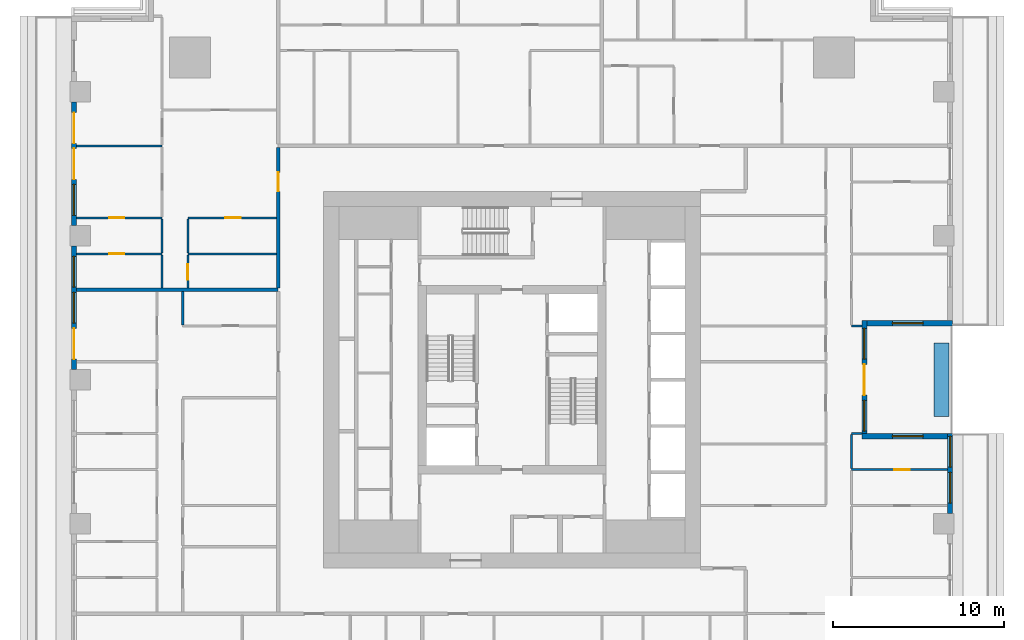
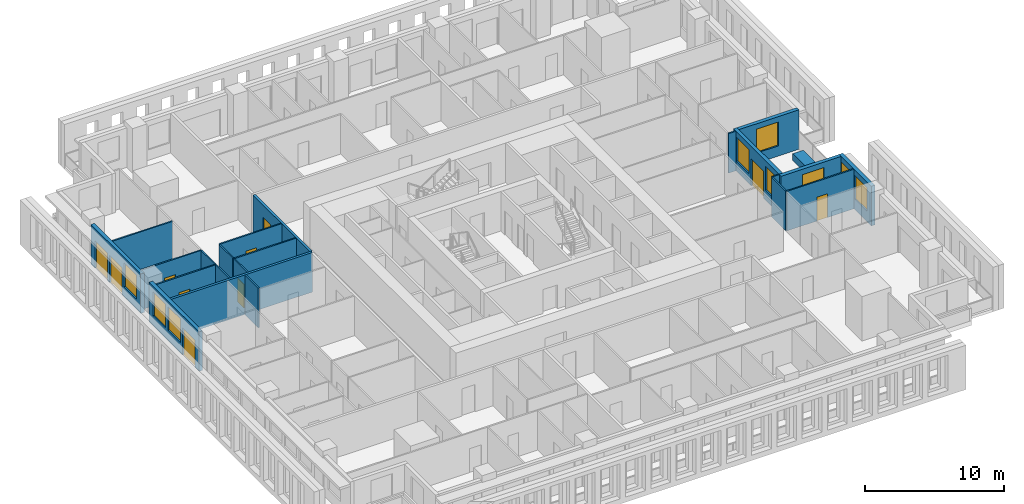
# One storey, part 7 of 17: 23 walls, 10 doors, 9 windows, 19 openings.
"""IFC4 building model written with IfcOpenShell, lengths in metres."""

from ifc_helpers import new_model, si_unit, direction, frame, frame_2d, origin, place, context, subcontext, project, spatial, rectangle, extrude, material, layer, layer_set, type_object, element, fill, save


model = new_model("IFC4")

# Units and contexts
model_context = context("Model", 3, precision=1e-05, world=origin(), true_north=direction((0.0, 1.0)))
body_context = subcontext(model_context, "Body", "Model", "MODEL_VIEW")
ifc_project = project(units=[si_unit("LENGTHUNIT", "METRE"), si_unit("AREAUNIT", "SQUARE_METRE"), si_unit("VOLUMEUNIT", "CUBIC_METRE"), si_unit("PLANEANGLEUNIT", "RADIAN"), si_unit("MASSUNIT", "GRAM", prefix="KILO")], contexts=[model_context])

# Site, building, storey
site_placement = place(None, origin())
site = spatial("IfcSite", under=ifc_project, at=site_placement, CompositionType="ELEMENT")
building_placement = place(site_placement, origin())
building = spatial("IfcBuilding", under=site, at=building_placement, Name="Khepri Terraces", CompositionType="ELEMENT")
storey_placement = place(building_placement, frame((0.0, 0.0, 188.39990234375)))
storey = spatial("IfcBuildingStorey", under=building, at=storey_placement, Name="L44", CompositionType="ELEMENT", Elevation=188.39990234375)

# Wall
ifc_material_1 = material(Name="Fire-rated gypsum plasterboard partition, mineral wool")
ifc_layer_1 = layer(ifc_material_1, 0.199951171875, Name="Fire-rated gypsum plasterboard partition, mineral wool")
ifc_layer_set_1 = layer_set([ifc_layer_1], Name="Fire-rated gypsum plasterboard partition, mineral wool")
wall_type_1 = type_object("IfcWallType", Name="WL-CORR-200", PredefinedType="PARTITIONING", material=ifc_layer_set_1)
wall_1_placement = place(storey_placement, frame((-25.419921875, 5.25, 0.0), z_axis=(0.0, 0.0, 1.0), x_axis=(1.0, 0.0, 0.0)))
element("IfcWall", 1, at=wall_1_placement, inside=storey, type_object=wall_type_1, Name="Partition P-066 L44", PredefinedType="PARTITIONING", context=body_context, shape_type="SweptSolid", body=[
    extrude(rectangle(XDim=11.77001953125, YDim=0.199951171875, at=frame_2d((5.885009765625, 0.0))), origin(), (0.0, 0.0, 1.0), 3.47998046875),
])

# Wall, opening, door
wall_2_placement = place(storey_placement, frame((-13.64990234375, 5.35009765625, 0.0), z_axis=(0.0, 0.0, 1.0), x_axis=(0.0, 1.0, 0.0)))
wall_2 = element("IfcWall", 2, at=wall_2_placement, inside=storey, type_object=wall_type_1, Name="Partition P-069 L44", PredefinedType="PARTITIONING", context=body_context, shape_type="SweptSolid", body=[
    extrude(rectangle(XDim=8.199951171875, YDim=0.199951171875, at=frame_2d((4.10009765625, 0.0))), origin(), (0.0, 0.0, 1.0), 3.47998046875),
])
opening_1_placement = place(wall_2_placement, frame((5.64990234375, 0.0, 0.0)))
opening_1 = element("IfcOpeningElement", 3, at=opening_1_placement, cuts=wall_2, Name="Opening D1", PredefinedType="OPENING", context=body_context, shape_type="SweptSolid", body=[
    extrude(rectangle(XDim=1.10009765625, YDim=2.39990234375, at=frame_2d((0.550048828125, 1.199951171875))), frame((0.0, 0.10986328125, 0.0), z_axis=(0.0, -1.0, 0.0), x_axis=(1.0, 0.0, 0.0)), (0.0, 0.0, 1.0), 0.219970703125),
])
ifc_material_2 = material(Name="Solid-core timber door leaf, flat entrance door", Category="wood")
door_type_1 = type_object("IfcDoorType", Name="DR-ENT-1100", OperationType="NOTDEFINED", PredefinedType="DOOR", material=ifc_material_2)
door_1_placement = place(opening_1_placement, origin())
door_1 = element("IfcDoor", 4, at=door_1_placement, inside=storey, type_object=door_type_1, Name="Flat D1 entrance door", OperationType="SINGLE_SWING_RIGHT", OverallHeight=2.39990234375, OverallWidth=1.10009765625, PredefinedType="DOOR", context=body_context, shape_type="SweptSolid", body=[
    extrude(rectangle(XDim=1.10009765625, YDim=2.39990234375, at=frame_2d((0.550048828125, 1.199951171875))), frame((0.0, 0.02490234375, 0.0), z_axis=(0.0, -1.0, 0.0), x_axis=(1.0, 0.0, 0.0)), (0.0, 0.0, 1.0), 0.050048828125),
])
fill(opening_1, door_1)

# Wall, openings, windows
ifc_material_3 = material(Name="Precast concrete C50/60 warm stone", Category="masonry")
ifc_layer_2 = layer(ifc_material_3, 0.300048828125, Name="Precast concrete C50/60 warm stone", Category="masonry")
ifc_layer_set_2 = layer_set([ifc_layer_2], Name="Precast concrete C50/60 warm stone")
wall_type_2 = type_object("IfcWallType", Name="WL-EXT-PRECAST-300", PredefinedType="STANDARD", material=ifc_layer_set_2)
wall_3_placement = place(storey_placement, frame((25.570068359375, -7.800048828125, 0.0), z_axis=(0.0, 0.0, 1.0), x_axis=(0.0, 1.0, 0.0)))
wall_3 = element("IfcWall", 5, at=wall_3_placement, inside=storey, type_object=wall_type_2, Name="External wall L44 E", PredefinedType="STANDARD", context=body_context, shape_type="SweptSolid", body=[
    extrude(rectangle(XDim=4.650146484375, YDim=0.300048828125, at=frame_2d((2.3251953125, 0.0))), origin(), (0.0, 0.0, 1.0), 3.47998046875),
])
opening_2_placement = place(wall_3_placement, frame((0.60009765625, 0.0, 0.89990234375)))
opening_2 = element("IfcOpeningElement", 6, at=opening_2_placement, cuts=wall_3, Name="Opening W1", PredefinedType="OPENING", context=body_context, shape_type="SweptSolid", body=[
    extrude(rectangle(XDim=1.800048828125, YDim=2.10009765625, at=frame_2d((0.89990234375, 1.050048828125))), frame((0.0, 0.16015625, 0.0), z_axis=(0.0, -1.0, 0.0), x_axis=(1.0, 0.0, 0.0)), (0.0, 0.0, 1.0), 0.320068359375),
])
opening_3_placement = place(wall_3_placement, frame((2.699951171875, 0.0, 0.89990234375)))
opening_3 = element("IfcOpeningElement", 7, at=opening_3_placement, cuts=wall_3, Name="Opening W1", PredefinedType="OPENING", context=body_context, shape_type="SweptSolid", body=[
    extrude(rectangle(XDim=1.800048828125, YDim=2.10009765625, at=frame_2d((0.89990234375, 1.050048828125))), frame((0.0, 0.16015625, 0.0), z_axis=(0.0, -1.0, 0.0), x_axis=(1.0, 0.0, 0.0)), (0.0, 0.0, 1.0), 0.320068359375),
])
ifc_material_4 = material(Name="Clear glass", Category="glass")
window_type = type_object("IfcWindowType", Name="WIN-RES-1800x2100", PartitioningType="SINGLE_PANEL", PredefinedType="WINDOW", material=ifc_material_4)
window_1_placement = place(opening_2_placement, origin())
window_1 = element("IfcWindow", 8, at=window_1_placement, inside=storey, type_object=window_type, Name="Window L44 E", OverallHeight=2.10009765625, OverallWidth=1.800048828125, PartitioningType="SINGLE_PANEL", PredefinedType="WINDOW", context=body_context, shape_type="SweptSolid", body=[
    extrude(rectangle(XDim=1.800048828125, YDim=2.10009765625, at=frame_2d((0.89990234375, 1.050048828125))), frame((0.0, 0.030029296875, 0.0), z_axis=(0.0, -1.0, 0.0), x_axis=(1.0, 0.0, 0.0)), (0.0, 0.0, 1.0), 0.06005859375),
])
fill(opening_2, window_1)
window_2_placement = place(opening_3_placement, origin())
window_2 = element("IfcWindow", 9, at=window_2_placement, inside=storey, type_object=window_type, Name="Window L44 E", OverallHeight=2.10009765625, OverallWidth=1.800048828125, PartitioningType="SINGLE_PANEL", PredefinedType="WINDOW", context=body_context, shape_type="SweptSolid", body=[
    extrude(rectangle(XDim=1.800048828125, YDim=2.10009765625, at=frame_2d((0.89990234375, 1.050048828125))), frame((0.0, 0.030029296875, 0.0), z_axis=(0.0, -1.0, 0.0), x_axis=(1.0, 0.0, 0.0)), (0.0, 0.0, 1.0), 0.06005859375),
])
fill(opening_3, window_2)

# Wall, opening, window
wall_4_placement = place(storey_placement, frame((25.419921875, -3.300048828125, 0.0), z_axis=(0.0, 0.0, 1.0), x_axis=(-1.0, 0.0, 0.0)))
wall_4 = element("IfcWall", 10, at=wall_4_placement, inside=storey, type_object=wall_type_2, Name="External wall L44 N", PredefinedType="STANDARD", context=body_context, shape_type="SweptSolid", body=[
    extrude(rectangle(XDim=5.0, YDim=0.300048828125, at=frame_2d((2.5, 0.0))), origin(), (0.0, 0.0, 1.0), 3.47998046875),
])
opening_4_placement = place(wall_4_placement, frame((1.419921875, 0.0, 0.89990234375)))
opening_4 = element("IfcOpeningElement", 11, at=opening_4_placement, cuts=wall_4, Name="Opening W1", PredefinedType="OPENING", context=body_context, shape_type="SweptSolid", body=[
    extrude(rectangle(XDim=1.800048828125, YDim=2.10009765625, at=frame_2d((0.89990234375, 1.050048828125))), frame((0.0, 0.16015625, 0.0), z_axis=(0.0, -1.0, 0.0), x_axis=(1.0, 0.0, 0.0)), (0.0, 0.0, 1.0), 0.320068359375),
])
window_3_placement = place(opening_4_placement, origin())
window_3 = element("IfcWindow", 12, at=window_3_placement, inside=storey, type_object=window_type, Name="Window L44 N", OverallHeight=2.10009765625, OverallWidth=1.800048828125, PartitioningType="SINGLE_PANEL", PredefinedType="WINDOW", context=body_context, shape_type="SweptSolid", body=[
    extrude(rectangle(XDim=1.800048828125, YDim=2.10009765625, at=frame_2d((0.89990234375, 1.050048828125))), frame((0.0, 0.030029296875, 0.0), z_axis=(0.0, -1.0, 0.0), x_axis=(1.0, 0.0, 0.0)), (0.0, 0.0, 1.0), 0.06005859375),
])
fill(opening_4, window_3)

# Wall, openings, door, windows
wall_5_placement = place(storey_placement, frame((20.570068359375, -3.14990234375, 0.0), z_axis=(0.0, 0.0, 1.0), x_axis=(0.0, 1.0, 0.0)))
wall_5 = element("IfcWall", 13, at=wall_5_placement, inside=storey, type_object=wall_type_2, Name="External wall L44 E", PredefinedType="STANDARD", context=body_context, shape_type="SweptSolid", body=[
    extrude(rectangle(XDim=6.599853515625, YDim=0.300048828125, at=frame_2d((3.2998046875, 0.0))), origin(), (0.0, 0.0, 1.0), 3.47998046875),
])
opening_5_placement = place(wall_5_placement, frame((0.14990234375, 0.0, 0.89990234375)))
opening_5 = element("IfcOpeningElement", 14, at=opening_5_placement, cuts=wall_5, Name="Opening W1", PredefinedType="OPENING", context=body_context, shape_type="SweptSolid", body=[
    extrude(rectangle(XDim=1.800048828125, YDim=2.10009765625, at=frame_2d((0.89990234375, 1.050048828125))), frame((0.0, 0.16015625, 0.0), z_axis=(0.0, -1.0, 0.0), x_axis=(1.0, 0.0, 0.0)), (0.0, 0.0, 1.0), 0.320068359375),
])
opening_6_placement = place(wall_5_placement, frame((2.25, 0.0, 0.0)))
opening_6 = element("IfcOpeningElement", 15, at=opening_6_placement, cuts=wall_5, Name="Opening ED-L44-04", PredefinedType="OPENING", context=body_context, shape_type="SweptSolid", body=[
    extrude(rectangle(XDim=1.800048828125, YDim=2.39990234375, at=frame_2d((0.89990234375, 1.199951171875))), frame((0.0, 0.16015625, 0.0), z_axis=(0.0, -1.0, 0.0), x_axis=(1.0, 0.0, 0.0)), (0.0, 0.0, 1.0), 0.320068359375),
])
opening_7_placement = place(wall_5_placement, frame((4.35009765625, 0.0, 0.89990234375)))
opening_7 = element("IfcOpeningElement", 16, at=opening_7_placement, cuts=wall_5, Name="Opening W1", PredefinedType="OPENING", context=body_context, shape_type="SweptSolid", body=[
    extrude(rectangle(XDim=1.800048828125, YDim=2.10009765625, at=frame_2d((0.89990234375, 1.050048828125))), frame((0.0, 0.16015625, 0.0), z_axis=(0.0, -1.0, 0.0), x_axis=(1.0, 0.0, 0.0)), (0.0, 0.0, 1.0), 0.320068359375),
])
ifc_material_5 = material(Name="Anodised aluminium bronze glazed door", Category="aluminium")
door_type_2 = type_object("IfcDoorType", Name="DR-BAL-SLIDE-1800x2400", OperationType="NOTDEFINED", PredefinedType="DOOR", material=ifc_material_5)
door_2_placement = place(opening_6_placement, origin())
door_2 = element("IfcDoor", 17, at=door_2_placement, inside=storey, type_object=door_type_2, Name="Balcony door L44 E", OperationType="SLIDING_TO_LEFT", OverallHeight=2.39990234375, OverallWidth=1.800048828125, PredefinedType="DOOR", context=body_context, shape_type="SweptSolid", body=[
    extrude(rectangle(XDim=1.800048828125, YDim=2.39990234375, at=frame_2d((0.89990234375, 1.199951171875))), frame((0.0, 0.02490234375, 0.0), z_axis=(0.0, -1.0, 0.0), x_axis=(1.0, 0.0, 0.0)), (0.0, 0.0, 1.0), 0.050048828125),
])
fill(opening_6, door_2)
window_4_placement = place(opening_5_placement, origin())
window_4 = element("IfcWindow", 18, at=window_4_placement, inside=storey, type_object=window_type, Name="Window L44 E", OverallHeight=2.10009765625, OverallWidth=1.800048828125, PartitioningType="SINGLE_PANEL", PredefinedType="WINDOW", context=body_context, shape_type="SweptSolid", body=[
    extrude(rectangle(XDim=1.800048828125, YDim=2.10009765625, at=frame_2d((0.89990234375, 1.050048828125))), frame((0.0, 0.030029296875, 0.0), z_axis=(0.0, -1.0, 0.0), x_axis=(1.0, 0.0, 0.0)), (0.0, 0.0, 1.0), 0.06005859375),
])
fill(opening_5, window_4)
window_5_placement = place(opening_7_placement, origin())
window_5 = element("IfcWindow", 19, at=window_5_placement, inside=storey, type_object=window_type, Name="Window L44 E", OverallHeight=2.10009765625, OverallWidth=1.800048828125, PartitioningType="SINGLE_PANEL", PredefinedType="WINDOW", context=body_context, shape_type="SweptSolid", body=[
    extrude(rectangle(XDim=1.800048828125, YDim=2.10009765625, at=frame_2d((0.89990234375, 1.050048828125))), frame((0.0, 0.030029296875, 0.0), z_axis=(0.0, -1.0, 0.0), x_axis=(1.0, 0.0, 0.0)), (0.0, 0.0, 1.0), 0.06005859375),
])
fill(opening_7, window_5)

# Wall, opening, window
wall_6_placement = place(storey_placement, frame((20.719970703125, 3.300048828125, 0.0), z_axis=(0.0, 0.0, 1.0), x_axis=(1.0, 0.0, 0.0)))
wall_6 = element("IfcWall", 20, at=wall_6_placement, inside=storey, type_object=wall_type_2, Name="External wall L44 S", PredefinedType="STANDARD", context=body_context, shape_type="SweptSolid", body=[
    extrude(rectangle(XDim=5.0, YDim=0.300048828125, at=frame_2d((2.5, 0.0))), origin(), (0.0, 0.0, 1.0), 3.47998046875),
])
opening_8_placement = place(wall_6_placement, frame((1.47998046875, 0.0, 0.89990234375)))
opening_8 = element("IfcOpeningElement", 21, at=opening_8_placement, cuts=wall_6, Name="Opening W1", PredefinedType="OPENING", context=body_context, shape_type="SweptSolid", body=[
    extrude(rectangle(XDim=1.800048828125, YDim=2.10009765625, at=frame_2d((0.89990234375, 1.050048828125))), frame((0.0, 0.16015625, 0.0), z_axis=(0.0, -1.0, 0.0), x_axis=(1.0, 0.0, 0.0)), (0.0, 0.0, 1.0), 0.320068359375),
])
window_6_placement = place(opening_8_placement, origin())
window_6 = element("IfcWindow", 22, at=window_6_placement, inside=storey, type_object=window_type, Name="Window L44 S", OverallHeight=2.10009765625, OverallWidth=1.800048828125, PartitioningType="SINGLE_PANEL", PredefinedType="WINDOW", context=body_context, shape_type="SweptSolid", body=[
    extrude(rectangle(XDim=1.800048828125, YDim=2.10009765625, at=frame_2d((0.89990234375, 1.050048828125))), frame((0.0, 0.030029296875, 0.0), z_axis=(0.0, -1.0, 0.0), x_axis=(1.0, 0.0, 0.0)), (0.0, 0.0, 1.0), 0.06005859375),
])
fill(opening_8, window_6)

# Wall, openings, doors, window
wall_7_placement = place(storey_placement, frame((-25.570068359375, 16.199951171875, 0.0), z_axis=(0.0, 0.0, 1.0), x_axis=(0.0, -1.0, 0.0)))
wall_7 = element("IfcWall", 23, at=wall_7_placement, inside=storey, type_object=wall_type_2, Name="External wall L44 W", PredefinedType="STANDARD", context=body_context, shape_type="SweptSolid", body=[
    extrude(rectangle(XDim=7.199951171875, YDim=0.300048828125, at=frame_2d((3.60009765625, 0.0))), origin(), (0.0, 0.0, 1.0), 3.47998046875),
])
opening_9_placement = place(wall_7_placement, frame((0.60009765625, 0.0, 0.0)))
opening_9 = element("IfcOpeningElement", 24, at=opening_9_placement, cuts=wall_7, Name="Opening ED-L44-13", PredefinedType="OPENING", context=body_context, shape_type="SweptSolid", body=[
    extrude(rectangle(XDim=1.800048828125, YDim=2.39990234375, at=frame_2d((0.89990234375, 1.199951171875))), frame((0.0, 0.16015625, 0.0), z_axis=(0.0, -1.0, 0.0), x_axis=(1.0, 0.0, 0.0)), (0.0, 0.0, 1.0), 0.320068359375),
])
opening_10_placement = place(wall_7_placement, frame((2.699951171875, 0.0, 0.0)))
opening_10 = element("IfcOpeningElement", 25, at=opening_10_placement, cuts=wall_7, Name="Opening ED-L44-14", PredefinedType="OPENING", context=body_context, shape_type="SweptSolid", body=[
    extrude(rectangle(XDim=1.800048828125, YDim=2.39990234375, at=frame_2d((0.89990234375, 1.199951171875))), frame((0.0, 0.16015625, 0.0), z_axis=(0.0, -1.0, 0.0), x_axis=(1.0, 0.0, 0.0)), (0.0, 0.0, 1.0), 0.320068359375),
])
opening_11_placement = place(wall_7_placement, frame((4.800048828125, 0.0, 0.89990234375)))
opening_11 = element("IfcOpeningElement", 26, at=opening_11_placement, cuts=wall_7, Name="Opening W1", PredefinedType="OPENING", context=body_context, shape_type="SweptSolid", body=[
    extrude(rectangle(XDim=1.800048828125, YDim=2.10009765625, at=frame_2d((0.89990234375, 1.050048828125))), frame((0.0, 0.16015625, 0.0), z_axis=(0.0, -1.0, 0.0), x_axis=(1.0, 0.0, 0.0)), (0.0, 0.0, 1.0), 0.320068359375),
])
door_3_placement = place(opening_9_placement, origin())
door_3 = element("IfcDoor", 27, at=door_3_placement, inside=storey, type_object=door_type_2, Name="Balcony door L44 W", OperationType="SLIDING_TO_LEFT", OverallHeight=2.39990234375, OverallWidth=1.800048828125, PredefinedType="DOOR", context=body_context, shape_type="SweptSolid", body=[
    extrude(rectangle(XDim=1.800048828125, YDim=2.39990234375, at=frame_2d((0.89990234375, 1.199951171875))), frame((0.0, 0.02490234375, 0.0), z_axis=(0.0, -1.0, 0.0), x_axis=(1.0, 0.0, 0.0)), (0.0, 0.0, 1.0), 0.050048828125),
])
fill(opening_9, door_3)
door_4_placement = place(opening_10_placement, origin())
door_4 = element("IfcDoor", 28, at=door_4_placement, inside=storey, type_object=door_type_2, Name="Balcony door L44 W", OperationType="SLIDING_TO_RIGHT", OverallHeight=2.39990234375, OverallWidth=1.800048828125, PredefinedType="DOOR", context=body_context, shape_type="SweptSolid", body=[
    extrude(rectangle(XDim=1.800048828125, YDim=2.39990234375, at=frame_2d((0.89990234375, 1.199951171875))), frame((0.0, 0.02490234375, 0.0), z_axis=(0.0, -1.0, 0.0), x_axis=(1.0, 0.0, 0.0)), (0.0, 0.0, 1.0), 0.050048828125),
])
fill(opening_10, door_4)
window_7_placement = place(opening_11_placement, origin())
window_7 = element("IfcWindow", 29, at=window_7_placement, inside=storey, type_object=window_type, Name="Window L44 W", OverallHeight=2.10009765625, OverallWidth=1.800048828125, PartitioningType="SINGLE_PANEL", PredefinedType="WINDOW", context=body_context, shape_type="SweptSolid", body=[
    extrude(rectangle(XDim=1.800048828125, YDim=2.10009765625, at=frame_2d((0.89990234375, 1.050048828125))), frame((0.0, 0.030029296875, 0.0), z_axis=(0.0, -1.0, 0.0), x_axis=(1.0, 0.0, 0.0)), (0.0, 0.0, 1.0), 0.06005859375),
])
fill(opening_11, window_7)

# Wall, openings, door, windows
wall_8_placement = place(storey_placement, frame((-25.570068359375, 7.800048828125, 0.0), z_axis=(0.0, 0.0, 1.0), x_axis=(0.0, -1.0, 0.0)))
wall_8 = element("IfcWall", 30, at=wall_8_placement, inside=storey, type_object=wall_type_2, Name="External wall L44 W", PredefinedType="STANDARD", context=body_context, shape_type="SweptSolid", body=[
    extrude(rectangle(XDim=7.199951171875, YDim=0.300048828125, at=frame_2d((3.60009765625, 0.0))), origin(), (0.0, 0.0, 1.0), 3.47998046875),
])
opening_12_placement = place(wall_8_placement, frame((0.60009765625, 0.0, 0.89990234375)))
opening_12 = element("IfcOpeningElement", 31, at=opening_12_placement, cuts=wall_8, Name="Opening W1", PredefinedType="OPENING", context=body_context, shape_type="SweptSolid", body=[
    extrude(rectangle(XDim=1.800048828125, YDim=2.10009765625, at=frame_2d((0.89990234375, 1.050048828125))), frame((0.0, 0.16015625, 0.0), z_axis=(0.0, -1.0, 0.0), x_axis=(1.0, 0.0, 0.0)), (0.0, 0.0, 1.0), 0.320068359375),
])
opening_13_placement = place(wall_8_placement, frame((2.699951171875, 0.0, 0.89990234375)))
opening_13 = element("IfcOpeningElement", 32, at=opening_13_placement, cuts=wall_8, Name="Opening W1", PredefinedType="OPENING", context=body_context, shape_type="SweptSolid", body=[
    extrude(rectangle(XDim=1.800048828125, YDim=2.10009765625, at=frame_2d((0.89990234375, 1.050048828125))), frame((0.0, 0.16015625, 0.0), z_axis=(0.0, -1.0, 0.0), x_axis=(1.0, 0.0, 0.0)), (0.0, 0.0, 1.0), 0.320068359375),
])
opening_14_placement = place(wall_8_placement, frame((4.800048828125, 0.0, 0.0)))
opening_14 = element("IfcOpeningElement", 33, at=opening_14_placement, cuts=wall_8, Name="Opening ED-L44-15", PredefinedType="OPENING", context=body_context, shape_type="SweptSolid", body=[
    extrude(rectangle(XDim=1.800048828125, YDim=2.39990234375, at=frame_2d((0.89990234375, 1.199951171875))), frame((0.0, 0.16015625, 0.0), z_axis=(0.0, -1.0, 0.0), x_axis=(1.0, 0.0, 0.0)), (0.0, 0.0, 1.0), 0.320068359375),
])
door_5_placement = place(opening_14_placement, origin())
door_5 = element("IfcDoor", 34, at=door_5_placement, inside=storey, type_object=door_type_2, Name="Balcony door L44 W", OperationType="SLIDING_TO_RIGHT", OverallHeight=2.39990234375, OverallWidth=1.800048828125, PredefinedType="DOOR", context=body_context, shape_type="SweptSolid", body=[
    extrude(rectangle(XDim=1.800048828125, YDim=2.39990234375, at=frame_2d((0.89990234375, 1.199951171875))), frame((0.0, 0.02490234375, 0.0), z_axis=(0.0, -1.0, 0.0), x_axis=(1.0, 0.0, 0.0)), (0.0, 0.0, 1.0), 0.050048828125),
])
fill(opening_14, door_5)
window_8_placement = place(opening_12_placement, origin())
window_8 = element("IfcWindow", 35, at=window_8_placement, inside=storey, type_object=window_type, Name="Window L44 W", OverallHeight=2.10009765625, OverallWidth=1.800048828125, PartitioningType="SINGLE_PANEL", PredefinedType="WINDOW", context=body_context, shape_type="SweptSolid", body=[
    extrude(rectangle(XDim=1.800048828125, YDim=2.10009765625, at=frame_2d((0.89990234375, 1.050048828125))), frame((0.0, 0.030029296875, 0.0), z_axis=(0.0, -1.0, 0.0), x_axis=(1.0, 0.0, 0.0)), (0.0, 0.0, 1.0), 0.06005859375),
])
fill(opening_12, window_8)
window_9_placement = place(opening_13_placement, origin())
window_9 = element("IfcWindow", 36, at=window_9_placement, inside=storey, type_object=window_type, Name="Window L44 W", OverallHeight=2.10009765625, OverallWidth=1.800048828125, PartitioningType="SINGLE_PANEL", PredefinedType="WINDOW", context=body_context, shape_type="SweptSolid", body=[
    extrude(rectangle(XDim=1.800048828125, YDim=2.10009765625, at=frame_2d((0.89990234375, 1.050048828125))), frame((0.0, 0.030029296875, 0.0), z_axis=(0.0, -1.0, 0.0), x_axis=(1.0, 0.0, 0.0)), (0.0, 0.0, 1.0), 0.06005859375),
])
fill(opening_13, window_9)

# Wall, opening, door
ifc_material_6 = material(Name="Gypsum plasterboard partition")
ifc_layer_3 = layer(ifc_material_6, 0.1201171875, Name="Gypsum plasterboard partition")
ifc_layer_set_3 = layer_set([ifc_layer_3], Name="Gypsum plasterboard partition")
wall_type_3 = type_object("IfcWallType", Name="WL-PART-120", PredefinedType="PARTITIONING", material=ifc_layer_set_3)
wall_9_placement = place(storey_placement, frame((19.820068359375, -5.25, 0.0), z_axis=(0.0, 0.0, 1.0), x_axis=(1.0, 0.0, 0.0)))
wall_9 = element("IfcWall", 37, at=wall_9_placement, inside=storey, type_object=wall_type_3, Name="Partition P-047 L44", PredefinedType="PARTITIONING", context=body_context, shape_type="SweptSolid", body=[
    extrude(rectangle(XDim=5.599853515625, YDim=0.1201171875, at=frame_2d((2.7998046875, 0.0))), origin(), (0.0, 0.0, 1.0), 3.47998046875),
])
opening_15_placement = place(wall_9_placement, frame((2.5, 0.0, 0.0)))
opening_15 = element("IfcOpeningElement", 38, at=opening_15_placement, cuts=wall_9, Name="Opening D4", PredefinedType="OPENING", context=body_context, shape_type="SweptSolid", body=[
    extrude(rectangle(XDim=0.89990234375, YDim=2.10009765625, at=frame_2d((0.449951171875, 1.050048828125))), frame((0.0, 0.070068359375, 0.0), z_axis=(0.0, -1.0, 0.0), x_axis=(1.0, 0.0, 0.0)), (0.0, 0.0, 1.0), 0.14013671875),
])
ifc_material_7 = material(Name="Timber door leaf, moisture resistant", Category="wood")
door_type_3 = type_object("IfcDoorType", Name="DR-WET-900", OperationType="NOTDEFINED", PredefinedType="DOOR", material=ifc_material_7)
door_6_placement = place(opening_15_placement, origin())
door_6 = element("IfcDoor", 39, at=door_6_placement, inside=storey, type_object=door_type_3, Name="Door Bathroom", OperationType="SINGLE_SWING_RIGHT", OverallHeight=2.10009765625, OverallWidth=0.89990234375, PredefinedType="DOOR", context=body_context, shape_type="SweptSolid", body=[
    extrude(rectangle(XDim=0.89990234375, YDim=2.10009765625, at=frame_2d((0.449951171875, 1.050048828125))), frame((0.0, 0.02490234375, 0.0), z_axis=(0.0, -1.0, 0.0), x_axis=(1.0, 0.0, 0.0)), (0.0, 0.0, 1.0), 0.050048828125),
])
fill(opening_15, door_6)

# Walls
wall_10_placement = place(storey_placement, frame((19.820068359375, -5.18994140625, 0.0), z_axis=(0.0, 0.0, 1.0), x_axis=(0.0, 1.0, 0.0)))
element("IfcWall", 40, at=wall_10_placement, inside=storey, type_object=wall_type_3, Name="Partition P-049 L44", PredefinedType="PARTITIONING", context=body_context, shape_type="SweptSolid", body=[
    extrude(rectangle(XDim=1.97998046875, YDim=0.1201171875, at=frame_2d((0.989990234375, 0.0))), origin(), (0.0, 0.0, 1.0), 3.47998046875),
])
for number, where, z_axis, x_axis, name in (
    (41, (19.820068359375, -3.14990234375, 0.0), (0.0, 0.0, 1.0), (1.0, 0.0, 0.0), "Partition P-053 L44"),
    (42, (19.820068359375, 3.14990234375, 0.0), (0.0, 0.0, 1.0), (1.0, 0.0, 0.0), "Partition P-062 L44"),
):
    element("IfcWall", number, at=place(storey_placement, frame(where, z_axis=z_axis, x_axis=x_axis)), inside=storey, type_object=wall_type_3, Name=name, PredefinedType="PARTITIONING", context=body_context, shape_type="SweptSolid", body=[
        extrude(rectangle(XDim=0.599853515625, YDim=0.1201171875, at=frame_2d((0.2998046875, 0.0))), origin(), (0.0, 0.0, 1.0), 3.47998046875),
    ])
for number, where, z_axis, x_axis, name in (
    (43, (-19.219970703125, 3.2099609375, 0.0), (0.0, 0.0, 1.0), (0.0, 1.0, 0.0), "Partition P-063 L44"),
    (44, (-20.419921875, 5.35009765625, 0.0), (0.0, 0.0, 1.0), (0.0, 1.0, 0.0), "Partition P-067 L44"),
):
    element("IfcWall", number, at=place(storey_placement, frame(where, z_axis=z_axis, x_axis=x_axis)), inside=storey, type_object=wall_type_3, Name=name, PredefinedType="PARTITIONING", context=body_context, shape_type="SweptSolid", body=[
        extrude(rectangle(XDim=1.93994140625, YDim=0.1201171875, at=frame_2d((0.969970703125, 0.0))), origin(), (0.0, 0.0, 1.0), 3.47998046875),
    ])

# Wall, opening, door
wall_11_placement = place(storey_placement, frame((-18.919921875, 5.35009765625, 0.0), z_axis=(0.0, 0.0, 1.0), x_axis=(0.0, 1.0, 0.0)))
wall_11 = element("IfcWall", 45, at=wall_11_placement, inside=storey, type_object=wall_type_3, Name="Partition P-068 L44", PredefinedType="PARTITIONING", context=body_context, shape_type="SweptSolid", body=[
    extrude(rectangle(XDim=1.93994140625, YDim=0.1201171875, at=frame_2d((0.969970703125, 0.0))), origin(), (0.0, 0.0, 1.0), 3.47998046875),
])
opening_16_placement = place(wall_11_placement, frame((0.5, 0.0, 0.0)))
opening_16 = element("IfcOpeningElement", 46, at=opening_16_placement, cuts=wall_11, Name="Opening D3", PredefinedType="OPENING", context=body_context, shape_type="SweptSolid", body=[
    extrude(rectangle(XDim=0.89990234375, YDim=2.10009765625, at=frame_2d((0.449951171875, 1.050048828125))), frame((0.0, 0.070068359375, 0.0), z_axis=(0.0, -1.0, 0.0), x_axis=(1.0, 0.0, 0.0)), (0.0, 0.0, 1.0), 0.14013671875),
])
ifc_material_8 = material(Name="Timber door leaf", Category="wood")
door_type_4 = type_object("IfcDoorType", Name="DR-INT-900", OperationType="NOTDEFINED", PredefinedType="DOOR", material=ifc_material_8)
door_7_placement = place(opening_16_placement, frame((0.89990234375, 0.0, 0.0), z_axis=(0.0, 0.0, 1.0), x_axis=(-1.0, 0.0, 0.0)))
door_7 = element("IfcDoor", 47, at=door_7_placement, inside=storey, type_object=door_type_4, Name="Door Kitchen", OperationType="SINGLE_SWING_RIGHT", OverallHeight=2.10009765625, OverallWidth=0.89990234375, PredefinedType="DOOR", context=body_context, shape_type="SweptSolid", body=[
    extrude(rectangle(XDim=0.89990234375, YDim=2.10009765625, at=frame_2d((0.449951171875, 1.050048828125))), frame((0.0, 0.02490234375, 0.0), z_axis=(0.0, -1.0, 0.0), x_axis=(1.0, 0.0, 0.0)), (0.0, 0.0, 1.0), 0.050048828125),
])
fill(opening_16, door_7)

wall_12_placement = place(storey_placement, frame((-25.419921875, 7.35009765625, 0.0), z_axis=(0.0, 0.0, 1.0), x_axis=(1.0, 0.0, 0.0)))
wall_12 = element("IfcWall", 48, at=wall_12_placement, inside=storey, type_object=wall_type_3, Name="Partition P-070 L44", PredefinedType="PARTITIONING", context=body_context, shape_type="SweptSolid", body=[
    extrude(rectangle(XDim=5.0, YDim=0.1201171875, at=frame_2d((2.5, 0.0))), origin(), (0.0, 0.0, 1.0), 3.47998046875),
])
opening_17_placement = place(wall_12_placement, frame((1.89990234375, 0.0, 0.0)))
opening_17 = element("IfcOpeningElement", 49, at=opening_17_placement, cuts=wall_12, Name="Opening D4", PredefinedType="OPENING", context=body_context, shape_type="SweptSolid", body=[
    extrude(rectangle(XDim=0.89990234375, YDim=2.10009765625, at=frame_2d((0.449951171875, 1.050048828125))), frame((0.0, 0.070068359375, 0.0), z_axis=(0.0, -1.0, 0.0), x_axis=(1.0, 0.0, 0.0)), (0.0, 0.0, 1.0), 0.14013671875),
])
door_8_placement = place(opening_17_placement, frame((0.89990234375, 0.0, 0.0), z_axis=(0.0, 0.0, 1.0), x_axis=(-1.0, 0.0, 0.0)))
door_8 = element("IfcDoor", 50, at=door_8_placement, inside=storey, type_object=door_type_3, Name="Door Bathroom", OperationType="SINGLE_SWING_RIGHT", OverallHeight=2.10009765625, OverallWidth=0.89990234375, PredefinedType="DOOR", context=body_context, shape_type="SweptSolid", body=[
    extrude(rectangle(XDim=0.89990234375, YDim=2.10009765625, at=frame_2d((0.449951171875, 1.050048828125))), frame((0.0, 0.02490234375, 0.0), z_axis=(0.0, -1.0, 0.0), x_axis=(1.0, 0.0, 0.0)), (0.0, 0.0, 1.0), 0.050048828125),
])
fill(opening_17, door_8)

# Walls
wall_13_placement = place(storey_placement, frame((-18.919921875, 7.35009765625, 0.0), z_axis=(0.0, 0.0, 1.0), x_axis=(1.0, 0.0, 0.0)))
element("IfcWall", 51, at=wall_13_placement, inside=storey, type_object=wall_type_3, Name="Partition P-071 L44", PredefinedType="PARTITIONING", context=body_context, shape_type="SweptSolid", body=[
    extrude(rectangle(XDim=5.169921875, YDim=0.1201171875, at=frame_2d((2.5849609375, 0.0))), origin(), (0.0, 0.0, 1.0), 3.47998046875),
])
for number, where, z_axis, x_axis, name in (
    (52, (-20.419921875, 7.409912109375, 0.0), (0.0, 0.0, 1.0), (0.0, 1.0, 0.0), "Partition P-074 L44"),
    (53, (-18.919921875, 7.409912109375, 0.0), (0.0, 0.0, 1.0), (0.0, 1.0, 0.0), "Partition P-075 L44"),
):
    element("IfcWall", number, at=place(storey_placement, frame(where, z_axis=z_axis, x_axis=x_axis)), inside=storey, type_object=wall_type_3, Name=name, PredefinedType="PARTITIONING", context=body_context, shape_type="SweptSolid", body=[
        extrude(rectangle(XDim=1.97998046875, YDim=0.1201171875, at=frame_2d((0.989990234375, 0.0))), origin(), (0.0, 0.0, 1.0), 3.47998046875),
    ])

# Wall, opening, door
wall_14_placement = place(storey_placement, frame((-25.419921875, 9.449951171875, 0.0), z_axis=(0.0, 0.0, 1.0), x_axis=(1.0, 0.0, 0.0)))
wall_14 = element("IfcWall", 54, at=wall_14_placement, inside=storey, type_object=wall_type_3, Name="Partition P-078 L44", PredefinedType="PARTITIONING", context=body_context, shape_type="SweptSolid", body=[
    extrude(rectangle(XDim=5.0, YDim=0.1201171875, at=frame_2d((2.5, 0.0))), origin(), (0.0, 0.0, 1.0), 3.47998046875),
])
opening_18_placement = place(wall_14_placement, frame((1.89990234375, 0.0, 0.0)))
opening_18 = element("IfcOpeningElement", 55, at=opening_18_placement, cuts=wall_14, Name="Opening D3", PredefinedType="OPENING", context=body_context, shape_type="SweptSolid", body=[
    extrude(rectangle(XDim=0.89990234375, YDim=2.10009765625, at=frame_2d((0.449951171875, 1.050048828125))), frame((0.0, 0.070068359375, 0.0), z_axis=(0.0, -1.0, 0.0), x_axis=(1.0, 0.0, 0.0)), (0.0, 0.0, 1.0), 0.14013671875),
])
door_9_placement = place(opening_18_placement, frame((0.89990234375, 0.0, 0.0), z_axis=(0.0, 0.0, 1.0), x_axis=(-1.0, 0.0, 0.0)))
door_9 = element("IfcDoor", 56, at=door_9_placement, inside=storey, type_object=door_type_4, Name="Door Dressing Room", OperationType="SINGLE_SWING_RIGHT", OverallHeight=2.10009765625, OverallWidth=0.89990234375, PredefinedType="DOOR", context=body_context, shape_type="SweptSolid", body=[
    extrude(rectangle(XDim=0.89990234375, YDim=2.10009765625, at=frame_2d((0.449951171875, 1.050048828125))), frame((0.0, 0.02490234375, 0.0), z_axis=(0.0, -1.0, 0.0), x_axis=(1.0, 0.0, 0.0)), (0.0, 0.0, 1.0), 0.050048828125),
])
fill(opening_18, door_9)

wall_15_placement = place(storey_placement, frame((-18.919921875, 9.449951171875, 0.0), z_axis=(0.0, 0.0, 1.0), x_axis=(1.0, 0.0, 0.0)))
wall_15 = element("IfcWall", 57, at=wall_15_placement, inside=storey, type_object=wall_type_3, Name="Partition P-079 L44", PredefinedType="PARTITIONING", context=body_context, shape_type="SweptSolid", body=[
    extrude(rectangle(XDim=5.169921875, YDim=0.1201171875, at=frame_2d((2.5849609375, 0.0))), origin(), (0.0, 0.0, 1.0), 3.47998046875),
])
opening_19_placement = place(wall_15_placement, frame((2.18505859375, 0.0, 0.0)))
opening_19 = element("IfcOpeningElement", 58, at=opening_19_placement, cuts=wall_15, Name="Opening D4", PredefinedType="OPENING", context=body_context, shape_type="SweptSolid", body=[
    extrude(rectangle(XDim=0.89990234375, YDim=2.10009765625, at=frame_2d((0.449951171875, 1.050048828125))), frame((0.0, 0.070068359375, 0.0), z_axis=(0.0, -1.0, 0.0), x_axis=(1.0, 0.0, 0.0)), (0.0, 0.0, 1.0), 0.14013671875),
])
door_10_placement = place(opening_19_placement, frame((0.89990234375, 0.0, 0.0), z_axis=(0.0, 0.0, 1.0), x_axis=(-1.0, 0.0, 0.0)))
door_10 = element("IfcDoor", 59, at=door_10_placement, inside=storey, type_object=door_type_3, Name="Door Guest Bathroom", OperationType="SINGLE_SWING_LEFT", OverallHeight=2.10009765625, OverallWidth=0.89990234375, PredefinedType="DOOR", context=body_context, shape_type="SweptSolid", body=[
    extrude(rectangle(XDim=0.89990234375, YDim=2.10009765625, at=frame_2d((0.449951171875, 1.050048828125))), frame((0.0, 0.02490234375, 0.0), z_axis=(0.0, -1.0, 0.0), x_axis=(1.0, 0.0, 0.0)), (0.0, 0.0, 1.0), 0.050048828125),
])
fill(opening_19, door_10)

# Walls
wall_16_placement = place(storey_placement, frame((-25.419921875, 13.64990234375, 0.0), z_axis=(0.0, 0.0, 1.0), x_axis=(1.0, 0.0, 0.0)))
element("IfcWall", 60, at=wall_16_placement, inside=storey, type_object=wall_type_3, Name="Partition P-087 L44", PredefinedType="PARTITIONING", context=body_context, shape_type="SweptSolid", body=[
    extrude(rectangle(XDim=5.0, YDim=0.1201171875, at=frame_2d((2.5, 0.0))), origin(), (0.0, 0.0, 1.0), 3.47998046875),
])
ifc_layer_4 = layer(ifc_material_3, 0.89990234375, Name="Precast concrete C50/60 warm stone", Category="masonry")
ifc_layer_set_4 = layer_set([ifc_layer_4], Name="Precast concrete C50/60 warm stone")
wall_type_4 = type_object("IfcWallType", Name="WL-PLANTER-900", PredefinedType="MOVABLE", material=ifc_layer_set_4)
wall_17_placement = place(storey_placement, frame((25.070068359375, -2.14990234375, 0.0), z_axis=(0.0, 0.0, 1.0), x_axis=(0.0, 1.0, 0.0)))
element("IfcWall", 61, at=wall_17_placement, inside=storey, type_object=wall_type_4, Name="Planter L44", PredefinedType="MOVABLE", context=body_context, shape_type="SweptSolid", body=[
    extrude(rectangle(XDim=4.2998046875, YDim=0.89990234375, at=frame_2d((2.14990234375, 0.0))), origin(), (0.0, 0.0, 1.0), 0.60009765625),
])

save(model, "model.ifc")
